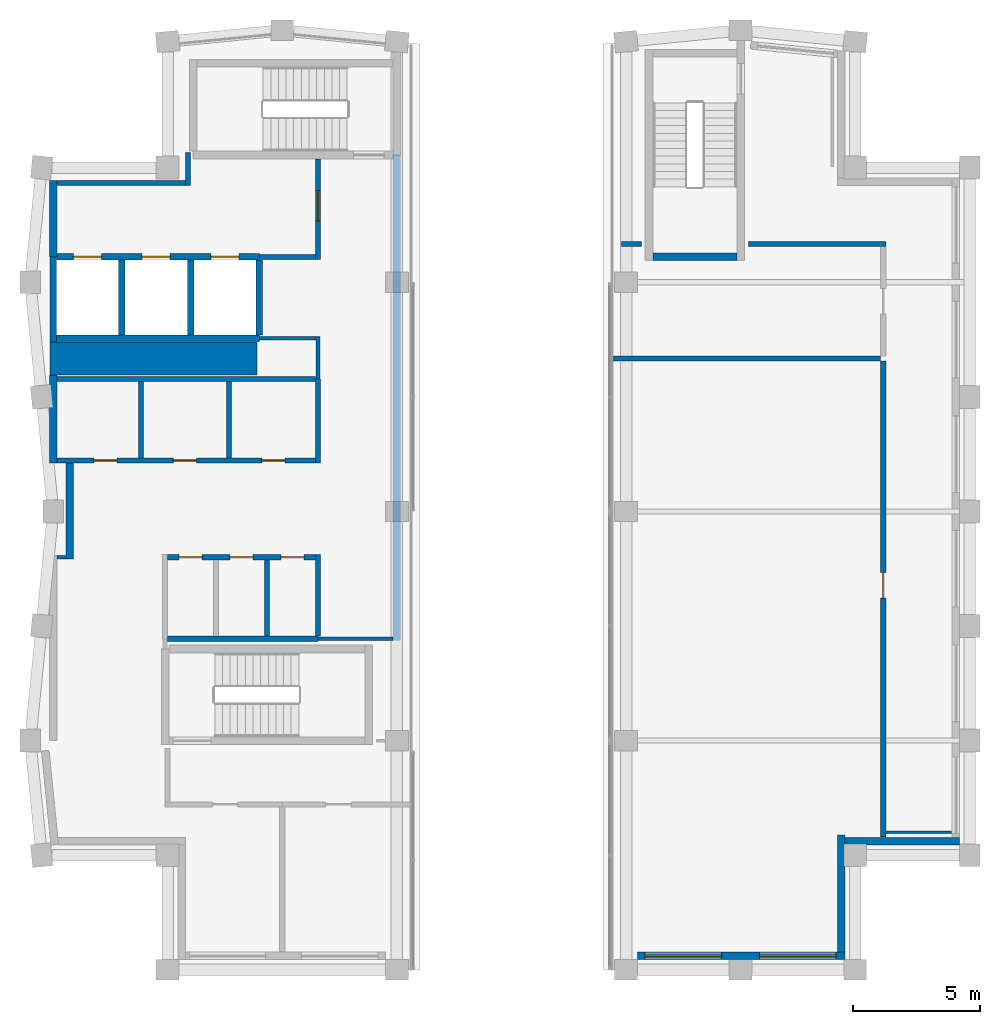
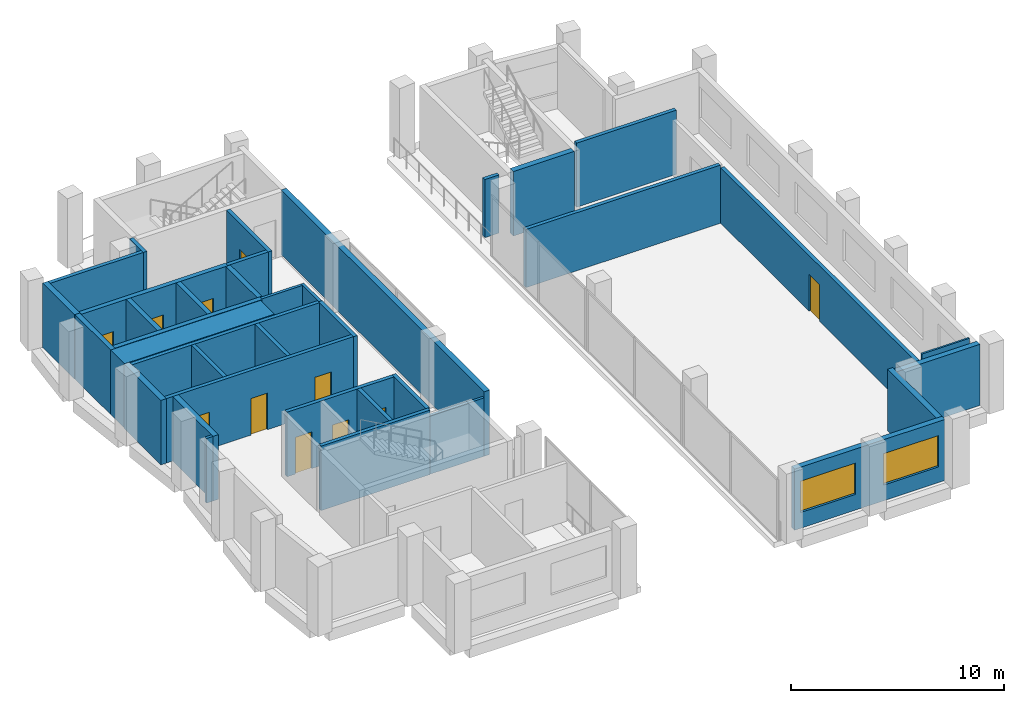
# One storey, part 7 of 9: 37 walls, 11 doors, 2 windows, 13 openings.
"""IFC4 building model written with IfcOpenShell, lengths in metres."""

from ifc_helpers import new_model, si_unit, direction, frame, frame_2d, origin, place, context, subcontext, project, spatial, rectangle, extrude, material, layer, layer_set, type_object, element, fill, save


model = new_model("IFC4")

# Units and contexts
model_context = context("Model", 3, precision=1e-05, world=origin(), true_north=direction((0.0, 1.0)))
body_context = subcontext(model_context, "Body", "Model", "MODEL_VIEW")
ifc_project = project(units=[si_unit("LENGTHUNIT", "METRE"), si_unit("AREAUNIT", "SQUARE_METRE"), si_unit("VOLUMEUNIT", "CUBIC_METRE"), si_unit("PLANEANGLEUNIT", "RADIAN"), si_unit("MASSUNIT", "GRAM", prefix="KILO")], contexts=[model_context])

# Site, building, storey
site_placement = place(None, origin())
site = spatial("IfcSite", under=ifc_project, at=site_placement, CompositionType="ELEMENT")
building_placement = place(site_placement, origin())
building = spatial("IfcBuilding", under=site, at=building_placement, Name="Brondeck Convention Tower", CompositionType="ELEMENT")
storey_placement = place(building_placement, frame((0.0, 0.0, 290.800048828125)))
storey = spatial("IfcBuildingStorey", under=building, at=storey_placement, Name="L72", CompositionType="ELEMENT", Elevation=290.800048828125)

# Walls
ifc_material_1 = material(Name="Concrete C50/60", Category="concrete")
ifc_layer_1 = layer(ifc_material_1, 0.300048828125)
ifc_layer_set_1 = layer_set([ifc_layer_1], Name="Core outer wall 300 Concrete C50/60")
wall_type_1 = type_object("IfcWallType", Name="Core outer wall 300 Concrete C50/60", PredefinedType="SHEAR", material=ifc_layer_set_1)
wall_1_placement = place(storey_placement, frame((0.0, 46.89990234375, 0.0), z_axis=(0.0, 0.0, 1.0), x_axis=(0.0, 1.0, 0.0)))
element("IfcWall", 1, at=wall_1_placement, inside=storey, type_object=wall_type_1, Name="L72 core wall", PredefinedType="SHEAR", context=body_context, shape_type="SweptSolid", body=[
    extrude(rectangle(XDim=3.4501953125, YDim=0.300048828125, at=frame_2d((1.72509765625, 0.0))), origin(), (0.0, 0.0, 1.0), 3.699951171875),
])
wall_2_placement = place(storey_placement, frame((0.0, 55.0, 0.0), z_axis=(0.0, 0.0, 1.0), x_axis=(0.0, 1.0, 0.0)))
element("IfcWall", 2, at=wall_2_placement, inside=storey, type_object=wall_type_1, Name="L72 core wall", PredefinedType="SHEAR", context=body_context, shape_type="SweptSolid", body=[
    extrude(rectangle(XDim=3.0, YDim=0.300048828125, at=frame_2d((1.5, 0.0))), origin(), (0.0, 0.0, 1.0), 3.699951171875),
])
wall_3_placement = place(storey_placement, frame((0.64990234375, 43.125, 0.0), z_axis=(0.0, 0.0, 1.0), x_axis=(0.0, 1.0, 0.0)))
element("IfcWall", 3, at=wall_3_placement, inside=storey, type_object=wall_type_1, Name="L72 core wall", PredefinedType="SHEAR", context=body_context, shape_type="SweptSolid", body=[
    extrude(rectangle(XDim=3.77490234375, YDim=0.300048828125, at=frame_2d((1.887451171875, 0.0))), origin(), (0.0, 0.0, 1.0), 3.699951171875),
])
wall_4_placement = place(storey_placement, frame((13.5, 39.925048828125, 0.0), z_axis=(0.0, 0.0, 1.0), x_axis=(0.0, 1.0, 0.0)))
element("IfcWall", 4, at=wall_4_placement, inside=storey, type_object=wall_type_1, Name="L72 core wall", PredefinedType="SHEAR", context=body_context, shape_type="SweptSolid", body=[
    extrude(rectangle(XDim=19.074951171875, YDim=0.300048828125, at=frame_2d((9.53759765625, 0.0))), origin(), (0.0, 0.0, 1.0), 3.699951171875),
])
ifc_material_2 = material(Name="Fire-rated gypsum board partition")
ifc_layer_2 = layer(ifc_material_2, 0.14990234375)
ifc_layer_set_2 = layer_set([ifc_layer_2], Name="Core partition 150 EI 60")
wall_type_2 = type_object("IfcWallType", Name="Core partition 150 EI 60", PredefinedType="PARTITIONING", material=ifc_layer_set_2)
wall_5_placement = place(storey_placement, frame((10.39990234375, 40.0, 0.0), z_axis=(0.0, 0.0, 1.0), x_axis=(1.0, 0.0, 0.0)))
element("IfcWall", 5, at=wall_5_placement, inside=storey, type_object=wall_type_2, Name="L72 core wall", PredefinedType="PARTITIONING", context=body_context, shape_type="SweptSolid", body=[
    extrude(rectangle(XDim=2.9501953125, YDim=0.14990234375, at=frame_2d((1.47509765625, 0.0))), origin(), (0.0, 0.0, 1.0), 3.349853515625),
])
wall_6_placement = place(storey_placement, frame((0.14990234375, 43.199951171875, 0.0), z_axis=(0.0, 0.0, 1.0), x_axis=(1.0, 0.0, 0.0)))
element("IfcWall", 6, at=wall_6_placement, inside=storey, type_object=wall_type_2, Name="L72 core wall", PredefinedType="PARTITIONING", context=body_context, shape_type="SweptSolid", body=[
    extrude(rectangle(XDim=0.35009765625, YDim=0.14990234375, at=frame_2d((0.175048828125, 0.0))), origin(), (0.0, 0.0, 1.0), 3.699951171875),
])
wall_7_placement = place(storey_placement, frame((8.10009765625, 51.800048828125, 0.0), z_axis=(0.0, 0.0, 1.0), x_axis=(1.0, 0.0, 0.0)))
element("IfcWall", 7, at=wall_7_placement, inside=storey, type_object=wall_type_2, Name="L72 core wall", PredefinedType="PARTITIONING", context=body_context, shape_type="SweptSolid", body=[
    extrude(rectangle(XDim=2.224853515625, YDim=0.14990234375, at=frame_2d((1.1123046875, 0.0))), origin(), (0.0, 0.0, 1.0), 3.699951171875),
])
wall_8_placement = place(storey_placement, frame((10.39990234375, 50.199951171875, 0.0), z_axis=(0.0, 0.0, 1.0), x_axis=(0.0, 1.0, 0.0)))
element("IfcWall", 8, at=wall_8_placement, inside=storey, type_object=wall_type_2, Name="L72 core wall", PredefinedType="PARTITIONING", context=body_context, shape_type="SweptSolid", body=[
    extrude(rectangle(XDim=1.675048828125, YDim=0.14990234375, at=frame_2d((0.83740234375, 0.0))), origin(), (0.0, 0.0, 1.0), 3.699951171875),
])
ifc_layer_3 = layer(ifc_material_1, 1.300048828125)
ifc_layer_set_3 = layer_set([ifc_layer_3], Name="Core shear wall 1300 Concrete C50/60")
wall_type_3 = type_object("IfcWallType", Name="Core shear wall 1300 Concrete C50/60", PredefinedType="SHEAR", material=ifc_layer_set_3)
wall_9_placement = place(storey_placement, frame((-0.125, 51.0, 0.0), z_axis=(0.0, 0.0, 1.0), x_axis=(1.0, 0.0, 0.0)))
element("IfcWall", 9, at=wall_9_placement, inside=storey, type_object=wall_type_3, Name="L72 core wall", PredefinedType="SHEAR", context=body_context, shape_type="SweptSolid", body=[
    extrude(rectangle(XDim=8.125, YDim=1.300048828125, at=frame_2d((4.0625, 0.0))), origin(), (0.0, 0.0, 1.0), 3.699951171875),
])

# Wall, openings, windows
ifc_material_3 = material(Name="Precast concrete C50/60 bronze finish", Category="concrete")
ifc_layer_4 = layer(ifc_material_3, 0.070068359375, Name="Bronze precast facing")
ifc_material_4 = material(Name="Mineral wool")
ifc_layer_5 = layer(ifc_material_4, 0.159912109375, Name="Insulation")
ifc_material_5 = material(Name="Concrete C35/45", Category="concrete")
ifc_layer_6 = layer(ifc_material_5, 0.070068359375, Name="Backing")
ifc_layer_set_4 = layer_set([ifc_layer_4, ifc_layer_5, ifc_layer_6], Name="External infill wall, precast concrete C50/60 bronze facing")
wall_type_4 = type_object("IfcWallType", Name="External infill wall, precast concrete C50/60 bronze facing", PredefinedType="SOLIDWALL", material=ifc_layer_set_4)
wall_10_placement = place(storey_placement, frame((31.10009765625, 27.550048828125, 0.0), z_axis=(0.0, 0.0, 1.0), x_axis=(-1.0, 0.0, 0.0)))
wall_10 = element("IfcWall", 10, at=wall_10_placement, inside=storey, type_object=wall_type_4, Name="ENV-EW-L72-K2-K-S-00", PredefinedType="SOLIDWALL", context=body_context, shape_type="SweptSolid", body=[
    extrude(rectangle(XDim=8.150146484375, YDim=0.300048828125, at=frame_2d((4.0751953125, 0.0))), origin(), (0.0, 0.0, 1.0), 3.5),
])
opening_1_placement = place(wall_10_placement, frame((0.35009765625, 0.0, 0.89990234375)))
opening_1 = element("IfcOpeningElement", 11, at=opening_1_placement, cuts=wall_10, Name="Opening W8", PredefinedType="OPENING", context=body_context, shape_type="SweptSolid", body=[
    extrude(rectangle(XDim=3.0, YDim=1.800048828125, at=frame_2d((1.5, 0.89990234375))), frame((0.0, 0.159912109375, 0.0), z_axis=(0.0, -1.0, 0.0), x_axis=(1.0, 0.0, 0.0)), (0.0, 0.0, 1.0), 0.320068359375),
])
opening_2_placement = place(wall_10_placement, frame((4.85009765625, 0.0, 0.89990234375)))
opening_2 = element("IfcOpeningElement", 12, at=opening_2_placement, cuts=wall_10, Name="Opening W8", PredefinedType="OPENING", context=body_context, shape_type="SweptSolid", body=[
    extrude(rectangle(XDim=3.0, YDim=1.800048828125, at=frame_2d((1.5, 0.89990234375))), frame((0.0, 0.159912109375, 0.0), z_axis=(0.0, -1.0, 0.0), x_axis=(1.0, 0.0, 0.0)), (0.0, 0.0, 1.0), 0.320068359375),
])
ifc_material_6 = material(Name="Bronze tinted double glazing", Category="glass")
window_type = type_object("IfcWindowType", Name="Crown plant storey window, bronze tinted", PartitioningType="SINGLE_PANEL", PredefinedType="WINDOW", material=ifc_material_6)
window_1_placement = place(opening_1_placement, origin())
window_1 = element("IfcWindow", 13, at=window_1_placement, inside=storey, type_object=window_type, Name="ENV-WN-L72-K2-K-S-01", OverallHeight=1.800048828125, OverallWidth=3.0, PartitioningType="SINGLE_PANEL", PredefinedType="WINDOW", context=body_context, shape_type="SweptSolid", body=[
    extrude(rectangle(XDim=3.0, YDim=1.800048828125, at=frame_2d((1.5, 0.89990234375))), frame((0.0, 0.030029296875, 0.0), z_axis=(0.0, -1.0, 0.0), x_axis=(1.0, 0.0, 0.0)), (0.0, 0.0, 1.0), 0.06005859375),
])
fill(opening_1, window_1)
window_2_placement = place(opening_2_placement, origin())
window_2 = element("IfcWindow", 14, at=window_2_placement, inside=storey, type_object=window_type, Name="ENV-WN-L72-K2-K-S-00", OverallHeight=1.800048828125, OverallWidth=3.0, PartitioningType="SINGLE_PANEL", PredefinedType="WINDOW", context=body_context, shape_type="SweptSolid", body=[
    extrude(rectangle(XDim=3.0, YDim=1.800048828125, at=frame_2d((1.5, 0.89990234375))), frame((0.0, 0.030029296875, 0.0), z_axis=(0.0, -1.0, 0.0), x_axis=(1.0, 0.0, 0.0)), (0.0, 0.0, 1.0), 0.06005859375),
])
fill(opening_2, window_2)

# Walls
wall_11_placement = place(storey_placement, frame((30.949951171875, 32.300048828125, 0.0), z_axis=(0.0, 0.0, 1.0), x_axis=(0.0, -1.0, 0.0)))
element("IfcWall", 15, at=wall_11_placement, inside=storey, type_object=wall_type_4, Name="ENV-EW-L72-K2-NC-KSE-01", PredefinedType="SOLIDWALL", context=body_context, shape_type="SweptSolid", body=[
    extrude(rectangle(XDim=4.60009765625, YDim=0.300048828125, at=frame_2d((2.300048828125, 0.0))), origin(), (0.0, 0.0, 1.0), 3.5),
])
wall_12_placement = place(storey_placement, frame((35.60009765625, 32.050048828125, 0.0), z_axis=(0.0, 0.0, 1.0), x_axis=(-1.0, 0.0, 0.0)))
element("IfcWall", 16, at=wall_12_placement, inside=storey, type_object=wall_type_4, Name="ENV-EW-L72-K2-NC-KSE-02", PredefinedType="SOLIDWALL", context=body_context, shape_type="SweptSolid", body=[
    extrude(rectangle(XDim=4.5, YDim=0.300048828125, at=frame_2d((2.25, 0.0))), origin(), (0.0, 0.0, 1.0), 3.5),
])
ifc_layer_7 = layer(ifc_material_2, 0.199951171875)
ifc_layer_set_5 = layer_set([ifc_layer_7], Name="Firefighting lobby wall 200 EI 120")
wall_type_5 = type_object("IfcWallType", Name="Firefighting lobby wall 200 EI 120", PredefinedType="PARTITIONING", material=ifc_layer_set_5)
wall_13_placement = place(storey_placement, frame((8.10009765625, 55.0, 0.0), z_axis=(0.0, 0.0, 1.0), x_axis=(1.0, 0.0, 0.0)))
element("IfcWall", 17, at=wall_13_placement, inside=storey, type_object=wall_type_5, Name="L72 core wall", PredefinedType="PARTITIONING", context=body_context, shape_type="SweptSolid", body=[
    extrude(rectangle(XDim=2.199951171875, YDim=0.199951171875, at=frame_2d((1.10009765625, 0.0))), origin(), (0.0, 0.0, 1.0), 3.699951171875),
])
wall_14_placement = place(storey_placement, frame((0.14990234375, 57.89990234375, 0.0), z_axis=(0.0, 0.0, 1.0), x_axis=(1.0, 0.0, 0.0)))
element("IfcWall", 18, at=wall_14_placement, inside=storey, type_object=wall_type_5, Name="L72 core wall", PredefinedType="PARTITIONING", context=body_context, shape_type="SweptSolid", body=[
    extrude(rectangle(XDim=5.050048828125, YDim=0.199951171875, at=frame_2d((2.52490234375, 0.0))), origin(), (0.0, 0.0, 1.0), 3.699951171875),
])
wall_15_placement = place(storey_placement, frame((5.300048828125, 57.800048828125, 0.0), z_axis=(0.0, 0.0, 1.0), x_axis=(0.0, 1.0, 0.0)))
element("IfcWall", 19, at=wall_15_placement, inside=storey, type_object=wall_type_5, Name="L72 core wall", PredefinedType="PARTITIONING", context=body_context, shape_type="SweptSolid", body=[
    extrude(rectangle(XDim=1.300048828125, YDim=0.199951171875, at=frame_2d((0.64990234375, 0.0))), origin(), (0.0, 0.0, 1.0), 3.699951171875),
])

# Wall, opening, door
wall_16_placement = place(storey_placement, frame((10.39990234375, 54.89990234375, 0.0), z_axis=(0.0, 0.0, 1.0), x_axis=(0.0, 1.0, 0.0)))
wall_16 = element("IfcWall", 20, at=wall_16_placement, inside=storey, type_object=wall_type_5, Name="L72 core wall", PredefinedType="PARTITIONING", context=body_context, shape_type="SweptSolid", body=[
    extrude(rectangle(XDim=3.9501953125, YDim=0.199951171875, at=frame_2d((1.97509765625, 0.0))), origin(), (0.0, 0.0, 1.0), 3.699951171875),
])
opening_3_placement = place(wall_16_placement, frame((1.5, 0.0, 0.0)))
opening_3 = element("IfcOpeningElement", 21, at=opening_3_placement, cuts=wall_16, Name="Opening C42-01", PredefinedType="OPENING", context=body_context, shape_type="SweptSolid", body=[
    extrude(rectangle(XDim=1.199951171875, YDim=2.199951171875, at=frame_2d((0.60009765625, 1.10009765625))), frame((0.0, 0.10986328125, 0.0), z_axis=(0.0, -1.0, 0.0), x_axis=(1.0, 0.0, 0.0)), (0.0, 0.0, 1.0), 0.219970703125),
])
ifc_material_7 = material(Name="Steel fire door", Category="steel")
door_type_1 = type_object("IfcDoorType", Name="Firefighting lobby door 1200x2200 EI 120", OperationType="NOTDEFINED", PredefinedType="DOOR", material=ifc_material_7)
door_1_placement = place(opening_3_placement, origin())
door_1 = element("IfcDoor", 22, at=door_1_placement, inside=storey, type_object=door_type_1, Name="L72 Firefighting lobby door FFL-1", OperationType="SINGLE_SWING_RIGHT", OverallHeight=2.199951171875, OverallWidth=1.199951171875, PredefinedType="DOOR", context=body_context, shape_type="SweptSolid", body=[
    extrude(rectangle(XDim=1.199951171875, YDim=2.199951171875, at=frame_2d((0.60009765625, 1.10009765625))), frame((0.0, 0.02490234375, 0.0), z_axis=(0.0, -1.0, 0.0), x_axis=(1.0, 0.0, 0.0)), (0.0, 0.0, 1.0), 0.050048828125),
])
fill(opening_3, door_1)

# Wall
ifc_layer_8 = layer(ifc_material_1, 0.25)
ifc_layer_set_6 = layer_set([ifc_layer_8], Name="Lift shaft wall 250 Concrete C50/60")
wall_type_6 = type_object("IfcWallType", Name="Lift shaft wall 250 Concrete C50/60", PredefinedType="SHEAR", material=ifc_layer_set_6)
wall_17_placement = place(storey_placement, frame((0.125, 51.800048828125, 0.0), z_axis=(0.0, 0.0, 1.0), x_axis=(1.0, 0.0, 0.0)))
element("IfcWall", 23, at=wall_17_placement, inside=storey, type_object=wall_type_6, Name="L72 core wall", PredefinedType="SHEAR", context=body_context, shape_type="SweptSolid", body=[
    extrude(rectangle(XDim=7.97509765625, YDim=0.25, at=frame_2d((3.987548828125, 0.0))), origin(), (0.0, 0.0, 1.0), 3.699951171875),
])

# Wall, openings, doors
wall_18_placement = place(storey_placement, frame((0.14990234375, 55.0, 0.0), z_axis=(0.0, 0.0, 1.0), x_axis=(1.0, 0.0, 0.0)))
wall_18 = element("IfcWall", 24, at=wall_18_placement, inside=storey, type_object=wall_type_6, Name="L72 core wall", PredefinedType="SHEAR", context=body_context, shape_type="SweptSolid", body=[
    extrude(rectangle(XDim=7.9501953125, YDim=0.25, at=frame_2d((3.97509765625, 0.0))), origin(), (0.0, 0.0, 1.0), 3.699951171875),
])
opening_4_placement = place(wall_18_placement, frame((0.64990234375, 0.0, 0.0)))
opening_4 = element("IfcOpeningElement", 25, at=opening_4_placement, cuts=wall_18, Name="Opening C42-11", PredefinedType="OPENING", context=body_context, shape_type="SweptSolid", body=[
    extrude(rectangle(XDim=1.10009765625, YDim=2.10009765625, at=frame_2d((0.550048828125, 1.050048828125))), frame((0.0, 0.135009765625, 0.0), z_axis=(0.0, -1.0, 0.0), x_axis=(1.0, 0.0, 0.0)), (0.0, 0.0, 1.0), 0.27001953125),
])
opening_5_placement = place(wall_18_placement, frame((3.35009765625, 0.0, 0.0)))
opening_5 = element("IfcOpeningElement", 26, at=opening_5_placement, cuts=wall_18, Name="Opening C42-12", PredefinedType="OPENING", context=body_context, shape_type="SweptSolid", body=[
    extrude(rectangle(XDim=1.10009765625, YDim=2.10009765625, at=frame_2d((0.550048828125, 1.050048828125))), frame((0.0, 0.135009765625, 0.0), z_axis=(0.0, -1.0, 0.0), x_axis=(1.0, 0.0, 0.0)), (0.0, 0.0, 1.0), 0.27001953125),
])
opening_6_placement = place(wall_18_placement, frame((6.050048828125, 0.0, 0.0)))
opening_6 = element("IfcOpeningElement", 27, at=opening_6_placement, cuts=wall_18, Name="Opening C42-13", PredefinedType="OPENING", context=body_context, shape_type="SweptSolid", body=[
    extrude(rectangle(XDim=1.10009765625, YDim=2.10009765625, at=frame_2d((0.550048828125, 1.050048828125))), frame((0.0, 0.135009765625, 0.0), z_axis=(0.0, -1.0, 0.0), x_axis=(1.0, 0.0, 0.0)), (0.0, 0.0, 1.0), 0.27001953125),
])
ifc_material_8 = material(Name="Stainless steel lift door", Category="steel")
door_type_2 = type_object("IfcDoorType", Name="Lift landing door 1100x2100 EI 180", OperationType="DOUBLE_DOOR_SLIDING", PredefinedType="DOOR", material=ifc_material_8)
door_2_placement = place(opening_4_placement, origin())
door_2 = element("IfcDoor", 28, at=door_2_placement, inside=storey, type_object=door_type_2, Name="L72 Lift landing door FF1", OperationType="DOUBLE_DOOR_SLIDING", OverallHeight=2.10009765625, OverallWidth=1.10009765625, PredefinedType="DOOR", context=body_context, shape_type="SweptSolid", body=[
    extrude(rectangle(XDim=1.10009765625, YDim=2.10009765625, at=frame_2d((0.550048828125, 1.050048828125))), frame((0.0, 0.02490234375, 0.0), z_axis=(0.0, -1.0, 0.0), x_axis=(1.0, 0.0, 0.0)), (0.0, 0.0, 1.0), 0.050048828125),
])
fill(opening_4, door_2)
door_3_placement = place(opening_5_placement, origin())
door_3 = element("IfcDoor", 29, at=door_3_placement, inside=storey, type_object=door_type_2, Name="L72 Lift landing door FF2", OperationType="DOUBLE_DOOR_SLIDING", OverallHeight=2.10009765625, OverallWidth=1.10009765625, PredefinedType="DOOR", context=body_context, shape_type="SweptSolid", body=[
    extrude(rectangle(XDim=1.10009765625, YDim=2.10009765625, at=frame_2d((0.550048828125, 1.050048828125))), frame((0.0, 0.02490234375, 0.0), z_axis=(0.0, -1.0, 0.0), x_axis=(1.0, 0.0, 0.0)), (0.0, 0.0, 1.0), 0.050048828125),
])
fill(opening_5, door_3)
door_4_placement = place(opening_6_placement, origin())
door_4 = element("IfcDoor", 30, at=door_4_placement, inside=storey, type_object=door_type_2, Name="L72 Lift landing door FF3", OperationType="DOUBLE_DOOR_SLIDING", OverallHeight=2.10009765625, OverallWidth=1.10009765625, PredefinedType="DOOR", context=body_context, shape_type="SweptSolid", body=[
    extrude(rectangle(XDim=1.10009765625, YDim=2.10009765625, at=frame_2d((0.550048828125, 1.050048828125))), frame((0.0, 0.02490234375, 0.0), z_axis=(0.0, -1.0, 0.0), x_axis=(1.0, 0.0, 0.0)), (0.0, 0.0, 1.0), 0.050048828125),
])
fill(opening_6, door_4)

# Walls
wall_19_placement = place(storey_placement, frame((0.0, 51.64990234375, 0.0), z_axis=(0.0, 0.0, 1.0), x_axis=(0.0, 1.0, 0.0)))
element("IfcWall", 31, at=wall_19_placement, inside=storey, type_object=wall_type_6, Name="L72 core wall", PredefinedType="SHEAR", context=body_context, shape_type="SweptSolid", body=[
    extrude(rectangle(XDim=3.35009765625, YDim=0.25, at=frame_2d((1.675048828125, 0.0))), origin(), (0.0, 0.0, 1.0), 3.699951171875),
])
for number, where, z_axis, x_axis, name in (
    (32, (2.699951171875, 51.925048828125, 0.0), (0.0, 0.0, 1.0), (0.0, 1.0, 0.0), "L72 core wall"),
    (33, (5.39990234375, 51.925048828125, 0.0), (0.0, 0.0, 1.0), (0.0, 1.0, 0.0), "L72 core wall"),
    (34, (8.10009765625, 51.925048828125, 0.0), (0.0, 0.0, 1.0), (0.0, 1.0, 0.0), "L72 core wall"),
):
    element("IfcWall", number, at=place(storey_placement, frame(where, z_axis=z_axis, x_axis=x_axis)), inside=storey, type_object=wall_type_6, Name=name, PredefinedType="SHEAR", context=body_context, shape_type="SweptSolid", body=[
        extrude(rectangle(XDim=2.949951171875, YDim=0.25, at=frame_2d((1.47509765625, 0.0))), origin(), (0.0, 0.0, 1.0), 3.699951171875),
    ])

# Wall, opening, door
ifc_material_9 = material(Name="Concrete block wall C16/20", Category="concrete")
ifc_layer_9 = layer(ifc_material_9, 0.199951171875)
ifc_layer_set_7 = layer_set([ifc_layer_9], Name="Plant room wall 200")
wall_type_7 = type_object("IfcWallType", Name="Plant room wall 200", PredefinedType="PARTITIONING", material=ifc_layer_set_7)
wall_20_placement = place(storey_placement, frame((32.60009765625, 32.219970703125, 0.0), z_axis=(0.0, 0.0, 1.0), x_axis=(0.0, 1.0, 0.0)))
wall_20 = element("IfcWall", 35, at=wall_20_placement, inside=storey, type_object=wall_type_7, Name="FLR-L72-W002", PredefinedType="PARTITIONING", context=body_context, shape_type="SweptSolid", body=[
    extrude(rectangle(XDim=18.679931640625, YDim=0.199951171875, at=frame_2d((9.33984375, 0.0))), origin(), (0.0, 0.0, 1.0), 3.179931640625),
])
opening_7_placement = place(wall_20_placement, frame((9.37451171875, 0.0, 0.0)))
opening_7 = element("IfcOpeningElement", 36, at=opening_7_placement, cuts=wall_20, Name="Opening CR-B-003", PredefinedType="OPENING", context=body_context, shape_type="SweptSolid", body=[
    extrude(rectangle(XDim=1.0, YDim=2.10009765625, at=frame_2d((0.5, 1.050048828125))), frame((0.0, 0.10986328125, 0.0), z_axis=(0.0, -1.0, 0.0), x_axis=(1.0, 0.0, 0.0)), (0.0, 0.0, 1.0), 0.219970703125),
])
ifc_material_10 = material(Name="Steel fire door leaf", Category="steel")
door_type_3 = type_object("IfcDoorType", Name="Plant room door 1000", OperationType="NOTDEFINED", PredefinedType="DOOR", material=ifc_material_10)
door_5_placement = place(opening_7_placement, origin())
door_5 = element("IfcDoor", 37, at=door_5_placement, inside=storey, type_object=door_type_3, Name="Door CR-B-003", OperationType="SINGLE_SWING_LEFT", OverallHeight=2.10009765625, OverallWidth=1.0, PredefinedType="DOOR", context=body_context, shape_type="SweptSolid", body=[
    extrude(rectangle(XDim=1.0, YDim=2.10009765625, at=frame_2d((0.5, 1.050048828125))), frame((0.0, 0.02490234375, 0.0), z_axis=(0.0, -1.0, 0.0), x_axis=(1.0, 0.0, 0.0)), (0.0, 0.0, 1.0), 0.050048828125),
])
fill(opening_7, door_5)

# Walls
wall_21_placement = place(storey_placement, frame((21.93994140625, 51.0, 0.0), z_axis=(0.0, 0.0, 1.0), x_axis=(1.0, 0.0, 0.0)))
element("IfcWall", 38, at=wall_21_placement, inside=storey, type_object=wall_type_7, Name="FLR-L72-W008", PredefinedType="PARTITIONING", context=body_context, shape_type="SweptSolid", body=[
    extrude(rectangle(XDim=10.56005859375, YDim=0.199951171875, at=frame_2d((5.280029296875, 0.0))), origin(), (0.0, 0.0, 1.0), 3.329833984375),
])
wall_22_placement = place(storey_placement, frame((22.320068359375, 55.5, 0.0), z_axis=(0.0, 0.0, 1.0), x_axis=(1.0, 0.0, 0.0)))
element("IfcWall", 39, at=wall_22_placement, inside=storey, type_object=wall_type_7, Name="FLR-L72-W010", PredefinedType="PARTITIONING", context=body_context, shape_type="SweptSolid", body=[
    extrude(rectangle(XDim=0.780029296875, YDim=0.199951171875, at=frame_2d((0.39013671875, 0.0))), origin(), (0.0, 0.0, 1.0), 3.329833984375),
])
wall_23_placement = place(storey_placement, frame((32.699951171875, 55.5, 0.0), z_axis=(0.0, 0.0, 1.0), x_axis=(-1.0, 0.0, 0.0)))
element("IfcWall", 40, at=wall_23_placement, inside=storey, type_object=wall_type_7, Name="FLR-L72-W011", PredefinedType="PARTITIONING", context=body_context, shape_type="SweptSolid", body=[
    extrude(rectangle(XDim=5.39990234375, YDim=0.199951171875, at=frame_2d((2.699951171875, 0.0))), origin(), (0.0, 0.0, 1.0), 3.679931640625),
])
ifc_layer_10 = layer(ifc_material_2, 0.199951171875)
ifc_layer_set_8 = layer_set([ifc_layer_10], Name="Plant room wall 200 EI 120")
wall_type_8 = type_object("IfcWallType", Name="Plant room wall 200 EI 120", PredefinedType="PARTITIONING", material=ifc_layer_set_8)
wall_24_placement = place(storey_placement, frame((4.5, 40.0, 0.0), z_axis=(0.0, 0.0, 1.0), x_axis=(1.0, 0.0, 0.0)))
element("IfcWall", 41, at=wall_24_placement, inside=storey, type_object=wall_type_8, Name="L72 core wall", PredefinedType="PARTITIONING", context=body_context, shape_type="SweptSolid", body=[
    extrude(rectangle(XDim=5.89990234375, YDim=0.199951171875, at=frame_2d((2.949951171875, 0.0))), origin(), (0.0, 0.0, 1.0), 3.699951171875),
])

# Wall, openings, doors
wall_25_placement = place(storey_placement, frame((4.5, 43.199951171875, 0.0), z_axis=(0.0, 0.0, 1.0), x_axis=(1.0, 0.0, 0.0)))
wall_25 = element("IfcWall", 42, at=wall_25_placement, inside=storey, type_object=wall_type_8, Name="L72 core wall", PredefinedType="PARTITIONING", context=body_context, shape_type="SweptSolid", body=[
    extrude(rectangle(XDim=5.800048828125, YDim=0.199951171875, at=frame_2d((2.89990234375, 0.0))), origin(), (0.0, 0.0, 1.0), 3.699951171875),
])
opening_8_placement = place(wall_25_placement, frame((0.449951171875, 0.0, 0.0)))
opening_8 = element("IfcOpeningElement", 43, at=opening_8_placement, cuts=wall_25, Name="Opening C42-05", PredefinedType="OPENING", context=body_context, shape_type="SweptSolid", body=[
    extrude(rectangle(XDim=0.89990234375, YDim=2.10009765625, at=frame_2d((0.449951171875, 1.050048828125))), frame((0.0, 0.10986328125, 0.0), z_axis=(0.0, -1.0, 0.0), x_axis=(1.0, 0.0, 0.0)), (0.0, 0.0, 1.0), 0.219970703125),
])
opening_9_placement = place(wall_25_placement, frame((2.449951171875, 0.0, 0.0)))
opening_9 = element("IfcOpeningElement", 44, at=opening_9_placement, cuts=wall_25, Name="Opening C42-06", PredefinedType="OPENING", context=body_context, shape_type="SweptSolid", body=[
    extrude(rectangle(XDim=0.89990234375, YDim=2.10009765625, at=frame_2d((0.449951171875, 1.050048828125))), frame((0.0, 0.10986328125, 0.0), z_axis=(0.0, -1.0, 0.0), x_axis=(1.0, 0.0, 0.0)), (0.0, 0.0, 1.0), 0.219970703125),
])
opening_10_placement = place(wall_25_placement, frame((4.449951171875, 0.0, 0.0)))
opening_10 = element("IfcOpeningElement", 45, at=opening_10_placement, cuts=wall_25, Name="Opening C42-07", PredefinedType="OPENING", context=body_context, shape_type="SweptSolid", body=[
    extrude(rectangle(XDim=0.89990234375, YDim=2.10009765625, at=frame_2d((0.449951171875, 1.050048828125))), frame((0.0, 0.10986328125, 0.0), z_axis=(0.0, -1.0, 0.0), x_axis=(1.0, 0.0, 0.0)), (0.0, 0.0, 1.0), 0.219970703125),
])
door_type_4 = type_object("IfcDoorType", Name="Room door 900x2100 EI 120", OperationType="NOTDEFINED", PredefinedType="DOOR", material=ifc_material_7)
door_6_placement = place(opening_8_placement, origin())
door_6 = element("IfcDoor", 46, at=door_6_placement, inside=storey, type_object=door_type_4, Name="L72 Room door FZ-S-4.4-1", OperationType="SINGLE_SWING_LEFT", OverallHeight=2.10009765625, OverallWidth=0.89990234375, PredefinedType="DOOR", context=body_context, shape_type="SweptSolid", body=[
    extrude(rectangle(XDim=0.89990234375, YDim=2.10009765625, at=frame_2d((0.449951171875, 1.050048828125))), frame((0.0, 0.02490234375, 0.0), z_axis=(0.0, -1.0, 0.0), x_axis=(1.0, 0.0, 0.0)), (0.0, 0.0, 1.0), 0.050048828125),
])
fill(opening_8, door_6)
door_7_placement = place(opening_9_placement, origin())
door_7 = element("IfcDoor", 47, at=door_7_placement, inside=storey, type_object=door_type_4, Name="L72 Room door FZ-S-4.4-2", OperationType="SINGLE_SWING_RIGHT", OverallHeight=2.10009765625, OverallWidth=0.89990234375, PredefinedType="DOOR", context=body_context, shape_type="SweptSolid", body=[
    extrude(rectangle(XDim=0.89990234375, YDim=2.10009765625, at=frame_2d((0.449951171875, 1.050048828125))), frame((0.0, 0.02490234375, 0.0), z_axis=(0.0, -1.0, 0.0), x_axis=(1.0, 0.0, 0.0)), (0.0, 0.0, 1.0), 0.050048828125),
])
fill(opening_9, door_7)
door_8_placement = place(opening_10_placement, origin())
door_8 = element("IfcDoor", 48, at=door_8_placement, inside=storey, type_object=door_type_4, Name="L72 Room door FZ-S-4.4-3", OperationType="SINGLE_SWING_LEFT", OverallHeight=2.10009765625, OverallWidth=0.89990234375, PredefinedType="DOOR", context=body_context, shape_type="SweptSolid", body=[
    extrude(rectangle(XDim=0.89990234375, YDim=2.10009765625, at=frame_2d((0.449951171875, 1.050048828125))), frame((0.0, 0.02490234375, 0.0), z_axis=(0.0, -1.0, 0.0), x_axis=(1.0, 0.0, 0.0)), (0.0, 0.0, 1.0), 0.050048828125),
])
fill(opening_10, door_8)

wall_26_placement = place(storey_placement, frame((0.14990234375, 47.0, 0.0), z_axis=(0.0, 0.0, 1.0), x_axis=(1.0, 0.0, 0.0)))
wall_26 = element("IfcWall", 49, at=wall_26_placement, inside=storey, type_object=wall_type_8, Name="L72 core wall", PredefinedType="PARTITIONING", context=body_context, shape_type="SweptSolid", body=[
    extrude(rectangle(XDim=10.150146484375, YDim=0.199951171875, at=frame_2d((5.0751953125, 0.0))), origin(), (0.0, 0.0, 1.0), 3.699951171875),
])
opening_11_placement = place(wall_26_placement, frame((1.449951171875, 0.0, 0.0)))
opening_11 = element("IfcOpeningElement", 50, at=opening_11_placement, cuts=wall_26, Name="Opening C42-02", PredefinedType="OPENING", context=body_context, shape_type="SweptSolid", body=[
    extrude(rectangle(XDim=0.89990234375, YDim=2.10009765625, at=frame_2d((0.449951171875, 1.050048828125))), frame((0.0, 0.10986328125, 0.0), z_axis=(0.0, -1.0, 0.0), x_axis=(1.0, 0.0, 0.0)), (0.0, 0.0, 1.0), 0.219970703125),
])
opening_12_placement = place(wall_26_placement, frame((4.574951171875, 0.0, 0.0)))
opening_12 = element("IfcOpeningElement", 51, at=opening_12_placement, cuts=wall_26, Name="Opening C42-03", PredefinedType="OPENING", context=body_context, shape_type="SweptSolid", body=[
    extrude(rectangle(XDim=0.89990234375, YDim=2.10009765625, at=frame_2d((0.449951171875, 1.050048828125))), frame((0.0, 0.10986328125, 0.0), z_axis=(0.0, -1.0, 0.0), x_axis=(1.0, 0.0, 0.0)), (0.0, 0.0, 1.0), 0.219970703125),
])
opening_13_placement = place(wall_26_placement, frame((8.050048828125, 0.0, 0.0)))
opening_13 = element("IfcOpeningElement", 52, at=opening_13_placement, cuts=wall_26, Name="Opening C42-04", PredefinedType="OPENING", context=body_context, shape_type="SweptSolid", body=[
    extrude(rectangle(XDim=0.89990234375, YDim=2.10009765625, at=frame_2d((0.449951171875, 1.050048828125))), frame((0.0, 0.10986328125, 0.0), z_axis=(0.0, -1.0, 0.0), x_axis=(1.0, 0.0, 0.0)), (0.0, 0.0, 1.0), 0.219970703125),
])
door_9_placement = place(opening_11_placement, origin())
door_9 = element("IfcDoor", 53, at=door_9_placement, inside=storey, type_object=door_type_4, Name="L72 Room door FZ-N-0-1", OperationType="SINGLE_SWING_RIGHT", OverallHeight=2.10009765625, OverallWidth=0.89990234375, PredefinedType="DOOR", context=body_context, shape_type="SweptSolid", body=[
    extrude(rectangle(XDim=0.89990234375, YDim=2.10009765625, at=frame_2d((0.449951171875, 1.050048828125))), frame((0.0, 0.02490234375, 0.0), z_axis=(0.0, -1.0, 0.0), x_axis=(1.0, 0.0, 0.0)), (0.0, 0.0, 1.0), 0.050048828125),
])
fill(opening_11, door_9)
door_10_placement = place(opening_12_placement, origin())
door_10 = element("IfcDoor", 54, at=door_10_placement, inside=storey, type_object=door_type_4, Name="L72 Room door FZ-N-0-2", OperationType="SINGLE_SWING_LEFT", OverallHeight=2.10009765625, OverallWidth=0.89990234375, PredefinedType="DOOR", context=body_context, shape_type="SweptSolid", body=[
    extrude(rectangle(XDim=0.89990234375, YDim=2.10009765625, at=frame_2d((0.449951171875, 1.050048828125))), frame((0.0, 0.02490234375, 0.0), z_axis=(0.0, -1.0, 0.0), x_axis=(1.0, 0.0, 0.0)), (0.0, 0.0, 1.0), 0.050048828125),
])
fill(opening_12, door_10)
door_11_placement = place(opening_13_placement, origin())
door_11 = element("IfcDoor", 55, at=door_11_placement, inside=storey, type_object=door_type_4, Name="L72 Room door FZ-N-0-3", OperationType="SINGLE_SWING_RIGHT", OverallHeight=2.10009765625, OverallWidth=0.89990234375, PredefinedType="DOOR", context=body_context, shape_type="SweptSolid", body=[
    extrude(rectangle(XDim=0.89990234375, YDim=2.10009765625, at=frame_2d((0.449951171875, 1.050048828125))), frame((0.0, 0.02490234375, 0.0), z_axis=(0.0, -1.0, 0.0), x_axis=(1.0, 0.0, 0.0)), (0.0, 0.0, 1.0), 0.050048828125),
])
fill(opening_13, door_11)

# Walls
wall_27_placement = place(storey_placement, frame((0.14990234375, 50.199951171875, 0.0), z_axis=(0.0, 0.0, 1.0), x_axis=(1.0, 0.0, 0.0)))
element("IfcWall", 56, at=wall_27_placement, inside=storey, type_object=wall_type_8, Name="L72 core wall", PredefinedType="PARTITIONING", context=body_context, shape_type="SweptSolid", body=[
    extrude(rectangle(XDim=10.150146484375, YDim=0.199951171875, at=frame_2d((5.0751953125, 0.0))), origin(), (0.0, 0.0, 1.0), 3.699951171875),
])
for number, where, z_axis, x_axis, name in (
    (57, (3.449951171875, 47.10009765625, 0.0), (0.0, 0.0, 1.0), (0.0, 1.0, 0.0), "L72 core wall"),
    (58, (6.89990234375, 47.10009765625, 0.0), (0.0, 0.0, 1.0), (0.0, 1.0, 0.0), "L72 core wall"),
    (59, (8.39990234375, 40.10009765625, 0.0), (0.0, 0.0, 1.0), (0.0, 1.0, 0.0), "L72 core wall"),
):
    element("IfcWall", number, at=place(storey_placement, frame(where, z_axis=z_axis, x_axis=x_axis)), inside=storey, type_object=wall_type_8, Name=name, PredefinedType="PARTITIONING", context=body_context, shape_type="SweptSolid", body=[
        extrude(rectangle(XDim=3.0, YDim=0.199951171875, at=frame_2d((1.5, 0.0))), origin(), (0.0, 0.0, 1.0), 3.699951171875),
    ])
wall_28_placement = place(storey_placement, frame((10.39990234375, 40.10009765625, 0.0), z_axis=(0.0, 0.0, 1.0), x_axis=(0.0, 1.0, 0.0)))
element("IfcWall", 60, at=wall_28_placement, inside=storey, type_object=wall_type_8, Name="L72 core wall", PredefinedType="PARTITIONING", context=body_context, shape_type="SweptSolid", body=[
    extrude(rectangle(XDim=3.199951171875, YDim=0.199951171875, at=frame_2d((1.60009765625, 0.0))), origin(), (0.0, 0.0, 1.0), 3.699951171875),
])
wall_29_placement = place(storey_placement, frame((10.39990234375, 46.89990234375, 0.0), z_axis=(0.0, 0.0, 1.0), x_axis=(0.0, 1.0, 0.0)))
element("IfcWall", 61, at=wall_29_placement, inside=storey, type_object=wall_type_8, Name="L72 core wall", PredefinedType="PARTITIONING", context=body_context, shape_type="SweptSolid", body=[
    extrude(rectangle(XDim=3.300048828125, YDim=0.199951171875, at=frame_2d((1.64990234375, 0.0))), origin(), (0.0, 0.0, 1.0), 3.699951171875),
])
ifc_material_11 = material(Name="Gypsum board partition on steel studs", Category="steel")
ifc_layer_11 = layer(ifc_material_11, 0.10009765625)
ifc_layer_set_9 = layer_set([ifc_layer_11], Name="Room partition 100")
wall_type_9 = type_object("IfcWallType", Name="Room partition 100", PredefinedType="PARTITIONING", material=ifc_layer_set_9)
wall_30_placement = place(storey_placement, frame((35.280029296875, 32.39990234375, 0.0), z_axis=(0.0, 0.0, 1.0), x_axis=(-1.0, 0.0, 0.0)))
element("IfcWall", 62, at=wall_30_placement, inside=storey, type_object=wall_type_9, Name="FLR-L72-W001", PredefinedType="PARTITIONING", context=body_context, shape_type="SweptSolid", body=[
    extrude(rectangle(XDim=2.580078125, YDim=0.10009765625, at=frame_2d((1.2900390625, 0.0))), origin(), (0.0, 0.0, 1.0), 3.679931640625),
])
ifc_layer_12 = layer(ifc_material_1, 0.300048828125)
ifc_layer_set_10 = layer_set([ifc_layer_12], Name="Stair enclosure wall 300 Concrete C50/60")
wall_type_10 = type_object("IfcWallType", Name="Stair enclosure wall 300 Concrete C50/60", PredefinedType="SHEAR", material=ifc_layer_set_10)
wall_31_placement = place(storey_placement, frame((23.550048828125, 55.0, 0.0), z_axis=(0.0, 0.0, 1.0), x_axis=(1.0, 0.0, 0.0)))
element("IfcWall", 63, at=wall_31_placement, inside=storey, type_object=wall_type_10, Name="L72 core wall", PredefinedType="SHEAR", context=body_context, shape_type="SweptSolid", body=[
    extrude(rectangle(XDim=3.300048828125, YDim=0.300048828125, at=frame_2d((1.64990234375, 0.0))), origin(), (0.0, 0.0, 1.0), 3.699951171875),
])

save(model, "model.ifc")
